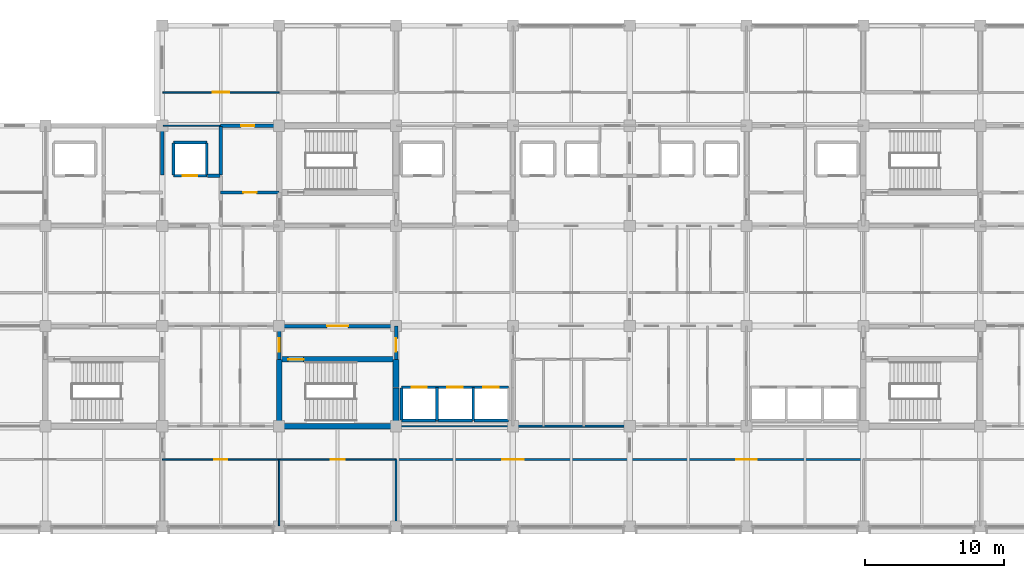
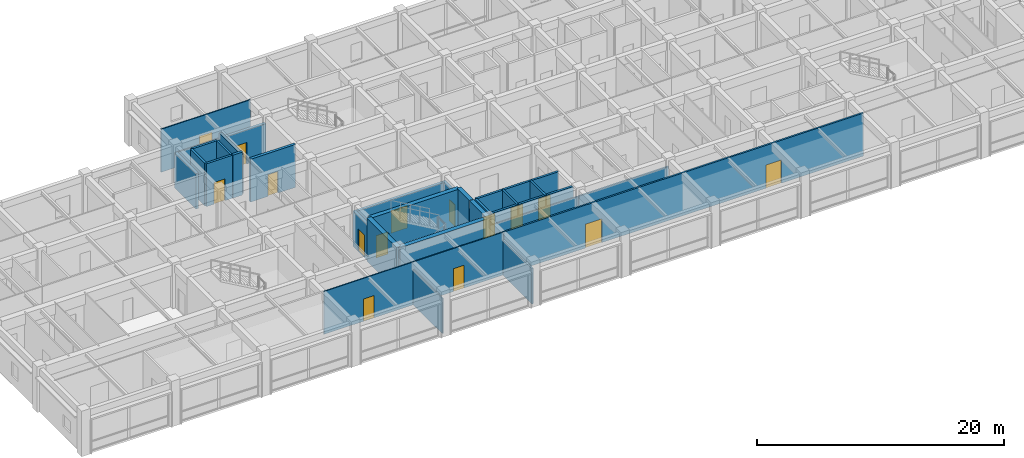
# One storey, part 17 of 30: 32 walls, 15 doors, 15 openings.
"""IFC4 building model written with IfcOpenShell, lengths in metres."""

from ifc_helpers import new_model, si_unit, direction, frame, frame_2d, origin, place, context, subcontext, project, spatial, rectangle, extrude, material, layer, layer_set, type_object, element, fill, save


model = new_model("IFC4")

# Units and contexts
model_context = context("Model", 3, precision=1e-05, world=origin(), true_north=direction((0.0, 1.0)))
body_context = subcontext(model_context, "Body", "Model", "MODEL_VIEW")
ifc_project = project(units=[si_unit("LENGTHUNIT", "METRE"), si_unit("AREAUNIT", "SQUARE_METRE"), si_unit("VOLUMEUNIT", "CUBIC_METRE"), si_unit("PLANEANGLEUNIT", "RADIAN"), si_unit("MASSUNIT", "GRAM", prefix="KILO")], contexts=[model_context])

# Site, building, storey
site_placement = place(None, origin())
site = spatial("IfcSite", under=ifc_project, at=site_placement, CompositionType="ELEMENT")
building_placement = place(site_placement, origin())
building = spatial("IfcBuilding", under=site, at=building_placement, Name="Chengyuan Square Courthouse", CompositionType="ELEMENT")
storey_placement = place(building_placement, frame((0.0, 0.0, 26.10009765625)))
storey = spatial("IfcBuildingStorey", under=building, at=storey_placement, Name="L06", CompositionType="ELEMENT", Elevation=26.10009765625)

# Wall, opening, door
ifc_material_1 = material(Name="Concrete C40", Category="concrete")
ifc_layer_1 = layer(ifc_material_1, 0.25)
ifc_layer_set_1 = layer_set([ifc_layer_1], Name="Concrete C40")
wall_type_1 = type_object("IfcWallType", Name="WL-FW1", PredefinedType="STANDARD", material=ifc_layer_set_1)
wall_1_placement = place(storey_placement, frame((58.800048828125, 93.60009765625, 0.0), z_axis=(0.0, 0.0, 1.0), x_axis=(1.0, 0.0, 0.0)))
wall_1 = element("IfcWall", 1, at=wall_1_placement, inside=storey, type_object=wall_type_1, Name="Interior Wall WL-L06-I2394", PredefinedType="STANDARD", context=body_context, shape_type="SweptSolid", body=[
    extrude(rectangle(XDim=8.39990234375, YDim=0.25, at=frame_2d((4.199951171875, 0.0))), origin(), (0.0, 0.0, 1.0), 3.389892578125),
])
opening_1_placement = place(wall_1_placement, frame((3.449951171875, 0.0, 0.0)))
opening_1 = element("IfcOpeningElement", 2, at=opening_1_placement, cuts=wall_1, Name="Opening DR-2124", PredefinedType="OPENING", context=body_context, shape_type="SweptSolid", body=[
    extrude(rectangle(XDim=1.5, YDim=2.25, at=frame_2d((0.75, 1.125))), frame((0.0, 0.136962890625, 0.0), z_axis=(0.0, -1.0, 0.0), x_axis=(1.0, 0.0, 0.0)), (0.0, 0.0, 1.0), 0.27392578125),
])
ifc_material_2 = material(Name="Steel Q235B Glazed Fire Door", Category="steel")
door_type_1 = type_object("IfcDoorType", Name="DT-19", OperationType="DOUBLE_DOOR_SINGLE_SWING", PredefinedType="DOOR", material=ifc_material_2)
door_1_placement = place(opening_1_placement, frame((1.5, 0.0, 0.0), z_axis=(0.0, 0.0, 1.0), x_axis=(-1.0, 0.0, 0.0)))
door_1 = element("IfcDoor", 3, at=door_1_placement, inside=storey, type_object=door_type_1, Name="Interior Door DR-2124", OperationType="DOUBLE_DOOR_SINGLE_SWING", OverallHeight=2.25, OverallWidth=1.5, PredefinedType="DOOR", context=body_context, shape_type="SweptSolid", body=[
    extrude(rectangle(XDim=1.5, YDim=2.25, at=frame_2d((0.75, 1.125))), frame((0.0, 0.02490234375, 0.0), z_axis=(0.0, -1.0, 0.0), x_axis=(1.0, 0.0, 0.0)), (0.0, 0.0, 1.0), 0.050048828125),
])
fill(opening_1, door_1)

wall_2_placement = place(storey_placement, frame((54.60009765625, 103.199951171875, 0.0), z_axis=(0.0, 0.0, 1.0), x_axis=(1.0, 0.0, 0.0)))
wall_2 = element("IfcWall", 4, at=wall_2_placement, inside=storey, type_object=wall_type_1, Name="Interior Wall WL-L06-I2431", PredefinedType="STANDARD", context=body_context, shape_type="SweptSolid", body=[
    extrude(rectangle(XDim=4.199951171875, YDim=0.25, at=frame_2d((2.10009765625, 0.0))), origin(), (0.0, 0.0, 1.0), 4.239990234375),
])
opening_2_placement = place(wall_2_placement, frame((1.625, 0.0, 0.0)))
opening_2 = element("IfcOpeningElement", 5, at=opening_2_placement, cuts=wall_2, Name="Opening DR-2168", PredefinedType="OPENING", context=body_context, shape_type="SweptSolid", body=[
    extrude(rectangle(XDim=0.949951171875, YDim=2.14990234375, at=frame_2d((0.47509765625, 1.074951171875))), frame((0.0, 0.136962890625, 0.0), z_axis=(0.0, -1.0, 0.0), x_axis=(1.0, 0.0, 0.0)), (0.0, 0.0, 1.0), 0.27392578125),
])
ifc_material_3 = material(Name="Steel Q235B Fire Door", Category="steel")
door_type_2 = type_object("IfcDoorType", Name="DT-12", OperationType="NOTDEFINED", PredefinedType="DOOR", material=ifc_material_3)
door_2_placement = place(opening_2_placement, origin())
door_2 = element("IfcDoor", 6, at=door_2_placement, inside=storey, type_object=door_type_2, Name="Interior Door DR-2168", OperationType="SINGLE_SWING_LEFT", OverallHeight=2.14990234375, OverallWidth=0.949951171875, PredefinedType="DOOR", context=body_context, shape_type="SweptSolid", body=[
    extrude(rectangle(XDim=0.949951171875, YDim=2.14990234375, at=frame_2d((0.47509765625, 1.074951171875))), frame((0.0, 0.02490234375, 0.0), z_axis=(0.0, -1.0, 0.0), x_axis=(1.0, 0.0, 0.0)), (0.0, 0.0, 1.0), 0.050048828125),
])
fill(opening_2, door_2)

# Wall
wall_3_placement = place(storey_placement, frame((53.64990234375, 104.39990234375, 0.0), z_axis=(0.0, 0.0, 1.0), x_axis=(1.0, 0.0, 0.0)))
element("IfcWall", 7, at=wall_3_placement, inside=storey, type_object=wall_type_1, Name="Interior Wall WL-L06-I2441", PredefinedType="STANDARD", context=body_context, shape_type="SweptSolid", body=[
    extrude(rectangle(XDim=0.900146484375, YDim=0.25, at=frame_2d((0.4501953125, 0.0))), origin(), (0.0, 0.0, 1.0), 4.239990234375),
])

# Wall, opening, door
wall_4_placement = place(storey_placement, frame((54.60009765625, 108.0, 0.0), z_axis=(0.0, 0.0, 1.0), x_axis=(1.0, 0.0, 0.0)))
wall_4 = element("IfcWall", 8, at=wall_4_placement, inside=storey, type_object=wall_type_1, Name="Interior Wall WL-L06-I2463", PredefinedType="STANDARD", context=body_context, shape_type="SweptSolid", body=[
    extrude(rectangle(XDim=4.199951171875, YDim=0.25, at=frame_2d((2.10009765625, 0.0))), origin(), (0.0, 0.0, 1.0), 3.389892578125),
])
opening_3_placement = place(wall_4_placement, frame((1.465087890625, 0.0, 0.0)))
opening_3 = element("IfcOpeningElement", 9, at=opening_3_placement, cuts=wall_4, Name="Opening DR-2171", PredefinedType="OPENING", context=body_context, shape_type="SweptSolid", body=[
    extrude(rectangle(XDim=0.949951171875, YDim=2.14990234375, at=frame_2d((0.47509765625, 1.074951171875))), frame((0.0, 0.136962890625, 0.0), z_axis=(0.0, -1.0, 0.0), x_axis=(1.0, 0.0, 0.0)), (0.0, 0.0, 1.0), 0.27392578125),
])
door_3_placement = place(opening_3_placement, origin())
door_3 = element("IfcDoor", 10, at=door_3_placement, inside=storey, type_object=door_type_2, Name="Interior Door DR-2171", OperationType="SINGLE_SWING_RIGHT", OverallHeight=2.14990234375, OverallWidth=0.949951171875, PredefinedType="DOOR", context=body_context, shape_type="SweptSolid", body=[
    extrude(rectangle(XDim=0.949951171875, YDim=2.14990234375, at=frame_2d((0.47509765625, 1.074951171875))), frame((0.0, 0.02490234375, 0.0), z_axis=(0.0, -1.0, 0.0), x_axis=(1.0, 0.0, 0.0)), (0.0, 0.0, 1.0), 0.050048828125),
])
fill(opening_3, door_3)

# Walls
wall_5_placement = place(storey_placement, frame((50.39990234375, 104.449951171875, 0.0), z_axis=(0.0, 0.0, 1.0), x_axis=(0.0, 1.0, 0.0)))
element("IfcWall", 11, at=wall_5_placement, inside=storey, type_object=wall_type_1, Name="Interior Wall WL-L06-I2500", PredefinedType="STANDARD", context=body_context, shape_type="SweptSolid", body=[
    extrude(rectangle(XDim=3.4599609375, YDim=0.25, at=frame_2d((1.72998046875, 0.0))), origin(), (0.0, 0.0, 1.0), 3.489990234375),
])
wall_6_placement = place(storey_placement, frame((54.60009765625, 104.449951171875, 0.0), z_axis=(0.0, 0.0, 1.0), x_axis=(0.0, 1.0, 0.0)))
element("IfcWall", 12, at=wall_6_placement, inside=storey, type_object=wall_type_1, Name="Interior Wall WL-L06-I2506", PredefinedType="STANDARD", context=body_context, shape_type="SweptSolid", body=[
    extrude(rectangle(XDim=3.5, YDim=0.25, at=frame_2d((1.75, 0.0))), origin(), (0.0, 0.0, 1.0), 3.93994140625),
])

# Wall, opening, door
wall_7_placement = place(storey_placement, frame((58.800048828125, 91.199951171875, 0.0), z_axis=(0.0, 0.0, 1.0), x_axis=(0.0, 1.0, 0.0)))
wall_7 = element("IfcWall", 13, at=wall_7_placement, inside=storey, type_object=wall_type_1, Name="Interior Wall WL-L06-I2511", PredefinedType="STANDARD", context=body_context, shape_type="SweptSolid", body=[
    extrude(rectangle(XDim=2.400146484375, YDim=0.25, at=frame_2d((1.2001953125, 0.0))), origin(), (0.0, 0.0, 1.0), 3.489990234375),
])
opening_4_placement = place(wall_7_placement, frame((0.5400390625, 0.0, 0.0)))
opening_4 = element("IfcOpeningElement", 14, at=opening_4_placement, cuts=wall_7, Name="Opening DR-2125", PredefinedType="OPENING", context=body_context, shape_type="SweptSolid", body=[
    extrude(rectangle(XDim=1.0, YDim=2.199951171875, at=frame_2d((0.5, 1.10009765625))), frame((0.0, 0.136962890625, 0.0), z_axis=(0.0, -1.0, 0.0), x_axis=(1.0, 0.0, 0.0)), (0.0, 0.0, 1.0), 0.27392578125),
])
door_type_3 = type_object("IfcDoorType", Name="DT-11", OperationType="NOTDEFINED", PredefinedType="DOOR", material=ifc_material_3)
door_4_placement = place(opening_4_placement, origin())
door_4 = element("IfcDoor", 15, at=door_4_placement, inside=storey, type_object=door_type_3, Name="Interior Door DR-2125", OperationType="SINGLE_SWING_RIGHT", OverallHeight=2.199951171875, OverallWidth=1.0, PredefinedType="DOOR", context=body_context, shape_type="SweptSolid", body=[
    extrude(rectangle(XDim=1.0, YDim=2.199951171875, at=frame_2d((0.5, 1.10009765625))), frame((0.0, 0.02490234375, 0.0), z_axis=(0.0, -1.0, 0.0), x_axis=(1.0, 0.0, 0.0)), (0.0, 0.0, 1.0), 0.050048828125),
])
fill(opening_4, door_4)

wall_8_placement = place(storey_placement, frame((67.199951171875, 91.199951171875, 0.0), z_axis=(0.0, 0.0, 1.0), x_axis=(0.0, 1.0, 0.0)))
wall_8 = element("IfcWall", 16, at=wall_8_placement, inside=storey, type_object=wall_type_1, Name="Interior Wall WL-L06-I2519", PredefinedType="STANDARD", context=body_context, shape_type="SweptSolid", body=[
    extrude(rectangle(XDim=2.400146484375, YDim=0.25, at=frame_2d((1.2001953125, 0.0))), origin(), (0.0, 0.0, 1.0), 3.489990234375),
])
opening_5_placement = place(wall_8_placement, frame((0.56494140625, 0.0, 0.0)))
opening_5 = element("IfcOpeningElement", 17, at=opening_5_placement, cuts=wall_8, Name="Opening DR-2123", PredefinedType="OPENING", context=body_context, shape_type="SweptSolid", body=[
    extrude(rectangle(XDim=0.949951171875, YDim=2.14990234375, at=frame_2d((0.47509765625, 1.074951171875))), frame((0.0, 0.136962890625, 0.0), z_axis=(0.0, -1.0, 0.0), x_axis=(1.0, 0.0, 0.0)), (0.0, 0.0, 1.0), 0.27392578125),
])
door_5_placement = place(opening_5_placement, origin())
door_5 = element("IfcDoor", 18, at=door_5_placement, inside=storey, type_object=door_type_2, Name="Interior Door DR-2123", OperationType="SINGLE_SWING_LEFT", OverallHeight=2.14990234375, OverallWidth=0.949951171875, PredefinedType="DOOR", context=body_context, shape_type="SweptSolid", body=[
    extrude(rectangle(XDim=0.949951171875, YDim=2.14990234375, at=frame_2d((0.47509765625, 1.074951171875))), frame((0.0, 0.02490234375, 0.0), z_axis=(0.0, -1.0, 0.0), x_axis=(1.0, 0.0, 0.0)), (0.0, 0.0, 1.0), 0.050048828125),
])
fill(opening_5, door_5)

# Wall, openings, doors
ifc_material_4 = material(Name="Acoustic Timber-Lined Gypsum Partition", Category="wood")
ifc_layer_2 = layer(ifc_material_4, 0.159912109375)
ifc_layer_set_2 = layer_set([ifc_layer_2], Name="Acoustic Timber-Lined Gypsum Partition")
wall_type_2 = type_object("IfcWallType", Name="WL-PT2", PredefinedType="STANDARD", material=ifc_layer_set_2)
wall_9_placement = place(storey_placement, frame((67.199951171875, 84.0, 0.0), z_axis=(0.0, 0.0, 1.0), x_axis=(1.0, 0.0, 0.0)))
wall_9 = element("IfcWall", 19, at=wall_9_placement, inside=storey, type_object=wall_type_2, Name="Interior Wall WL-L06-I2362", PredefinedType="STANDARD", context=body_context, shape_type="SweptSolid", body=[
    extrude(rectangle(XDim=33.60009765625, YDim=0.159912109375, at=frame_2d((16.800048828125, 0.0))), origin(), (0.0, 0.0, 1.0), 4.239990234375),
])
opening_6_placement = place(wall_9_placement, frame((7.625, 0.0, 0.0)))
opening_6 = element("IfcOpeningElement", 20, at=opening_6_placement, cuts=wall_9, Name="Opening DR-2294", PredefinedType="OPENING", context=body_context, shape_type="SweptSolid", body=[
    extrude(rectangle(XDim=1.550048828125, YDim=2.35009765625, at=frame_2d((0.77490234375, 1.175048828125))), frame((0.0, 0.092041015625, 0.0), z_axis=(0.0, -1.0, 0.0), x_axis=(1.0, 0.0, 0.0)), (0.0, 0.0, 1.0), 0.183837890625),
])
opening_7_placement = place(wall_9_placement, frame((24.47509765625, 0.0, 0.0)))
opening_7 = element("IfcOpeningElement", 21, at=opening_7_placement, cuts=wall_9, Name="Opening DR-2296", PredefinedType="OPENING", context=body_context, shape_type="SweptSolid", body=[
    extrude(rectangle(XDim=1.449951171875, YDim=2.300048828125, at=frame_2d((0.72509765625, 1.14990234375))), frame((0.0, 0.092041015625, 0.0), z_axis=(0.0, -1.0, 0.0), x_axis=(1.0, 0.0, 0.0)), (0.0, 0.0, 1.0), 0.183837890625),
])
ifc_material_5 = material(Name="Acoustic Larch Veneer Double Door")
door_type_4 = type_object("IfcDoorType", Name="DT-23", OperationType="DOUBLE_DOOR_SINGLE_SWING", PredefinedType="DOOR", material=ifc_material_5)
door_6_placement = place(opening_6_placement, frame((1.550048828125, 0.0, 0.0), z_axis=(0.0, 0.0, 1.0), x_axis=(-1.0, 0.0, 0.0)))
door_6 = element("IfcDoor", 22, at=door_6_placement, inside=storey, type_object=door_type_4, Name="Interior Door DR-2294", OperationType="DOUBLE_DOOR_SINGLE_SWING", OverallHeight=2.35009765625, OverallWidth=1.550048828125, PredefinedType="DOOR", context=body_context, shape_type="SweptSolid", body=[
    extrude(rectangle(XDim=1.550048828125, YDim=2.35009765625, at=frame_2d((0.77490234375, 1.175048828125))), frame((0.0, 0.02490234375, 0.0), z_axis=(0.0, -1.0, 0.0), x_axis=(1.0, 0.0, 0.0)), (0.0, 0.0, 1.0), 0.050048828125),
])
fill(opening_6, door_6)
door_type_5 = type_object("IfcDoorType", Name="DT-25", OperationType="DOUBLE_DOOR_SINGLE_SWING", PredefinedType="DOOR", material=ifc_material_5)
door_7_placement = place(opening_7_placement, frame((1.449951171875, 0.0, 0.0), z_axis=(0.0, 0.0, 1.0), x_axis=(-1.0, 0.0, 0.0)))
door_7 = element("IfcDoor", 23, at=door_7_placement, inside=storey, type_object=door_type_5, Name="Interior Door DR-2296", OperationType="DOUBLE_DOOR_SINGLE_SWING", OverallHeight=2.300048828125, OverallWidth=1.449951171875, PredefinedType="DOOR", context=body_context, shape_type="SweptSolid", body=[
    extrude(rectangle(XDim=1.449951171875, YDim=2.300048828125, at=frame_2d((0.72509765625, 1.14990234375))), frame((0.0, 0.02490234375, 0.0), z_axis=(0.0, -1.0, 0.0), x_axis=(1.0, 0.0, 0.0)), (0.0, 0.0, 1.0), 0.050048828125),
])
fill(opening_7, door_7)

# Walls
wall_10_placement = place(storey_placement, frame((67.199951171875, 79.239990234375, 0.0), z_axis=(0.0, 0.0, 1.0), x_axis=(0.0, 1.0, 0.0)))
element("IfcWall", 24, at=wall_10_placement, inside=storey, type_object=wall_type_2, Name="Interior Wall WL-L06-I2516", PredefinedType="STANDARD", context=body_context, shape_type="SweptSolid", body=[
    extrude(rectangle(XDim=4.760009765625, YDim=0.159912109375, at=frame_2d((2.3798828125, 0.0))), origin(), (0.0, 0.0, 1.0), 3.489990234375),
])
ifc_material_6 = material(Name="Moisture-Resistant Masonry Wet-Room Partition", Category="masonry")
ifc_layer_3 = layer(ifc_material_6, 0.139892578125)
ifc_layer_set_3 = layer_set([ifc_layer_3], Name="Moisture-Resistant Masonry Wet-Room Partition")
wall_type_3 = type_object("IfcWallType", Name="WL-PT4", PredefinedType="STANDARD", material=ifc_layer_set_3)
wall_11_placement = place(storey_placement, frame((75.60009765625, 86.39990234375, 0.0), z_axis=(0.0, 0.0, 1.0), x_axis=(1.0, 0.0, 0.0)))
element("IfcWall", 25, at=wall_11_placement, inside=storey, type_object=wall_type_3, Name="Interior Wall WL-L06-I2371", PredefinedType="STANDARD", context=body_context, shape_type="SweptSolid", body=[
    extrude(rectangle(XDim=8.39990234375, YDim=0.139892578125, at=frame_2d((4.199951171875, 0.0))), origin(), (0.0, 0.0, 1.0), 3.389892578125),
])

# Wall, openings, doors
ifc_material_7 = material(Name="Gypsum Plasterboard Acoustic Stud Partition")
ifc_layer_4 = layer(ifc_material_7, 0.10009765625)
ifc_layer_set_4 = layer_set([ifc_layer_4], Name="Gypsum Plasterboard Acoustic Stud Partition")
wall_type_4 = type_object("IfcWallType", Name="WL-PT6", PredefinedType="STANDARD", material=ifc_layer_set_4)
wall_12_placement = place(storey_placement, frame((50.39990234375, 84.0, 0.0), z_axis=(0.0, 0.0, 1.0), x_axis=(1.0, 0.0, 0.0)))
wall_12 = element("IfcWall", 26, at=wall_12_placement, inside=storey, type_object=wall_type_4, Name="Interior Wall WL-L06-I2361", PredefinedType="STANDARD", context=body_context, shape_type="SweptSolid", body=[
    extrude(rectangle(XDim=16.800048828125, YDim=0.10009765625, at=frame_2d((8.39990234375, 0.0))), origin(), (0.0, 0.0, 1.0), 4.239990234375),
])
opening_8_placement = place(wall_12_placement, frame((3.719970703125, 0.0, 0.0)))
opening_8 = element("IfcOpeningElement", 27, at=opening_8_placement, cuts=wall_12, Name="Opening DR-2292", PredefinedType="OPENING", context=body_context, shape_type="SweptSolid", body=[
    extrude(rectangle(XDim=0.9599609375, YDim=2.199951171875, at=frame_2d((0.47998046875, 1.10009765625))), frame((0.0, 0.06201171875, 0.0), z_axis=(0.0, -1.0, 0.0), x_axis=(1.0, 0.0, 0.0)), (0.0, 0.0, 1.0), 0.1240234375),
])
opening_9_placement = place(wall_12_placement, frame((12.10009765625, 0.0, 0.0)))
opening_9 = element("IfcOpeningElement", 28, at=opening_9_placement, cuts=wall_12, Name="Opening DR-2293", PredefinedType="OPENING", context=body_context, shape_type="SweptSolid", body=[
    extrude(rectangle(XDim=1.0, YDim=2.25, at=frame_2d((0.5, 1.125))), frame((0.0, 0.06201171875, 0.0), z_axis=(0.0, -1.0, 0.0), x_axis=(1.0, 0.0, 0.0)), (0.0, 0.0, 1.0), 0.1240234375),
])
ifc_material_8 = material(Name="Acoustic Solid-Core Timber Door", Category="wood")
door_type_6 = type_object("IfcDoorType", Name="DT-30", OperationType="NOTDEFINED", PredefinedType="DOOR", material=ifc_material_8)
door_8_placement = place(opening_8_placement, origin())
door_8 = element("IfcDoor", 29, at=door_8_placement, inside=storey, type_object=door_type_6, Name="Interior Door DR-2292", OperationType="SINGLE_SWING_LEFT", OverallHeight=2.199951171875, OverallWidth=0.9599609375, PredefinedType="DOOR", context=body_context, shape_type="SweptSolid", body=[
    extrude(rectangle(XDim=0.9599609375, YDim=2.199951171875, at=frame_2d((0.47998046875, 1.10009765625))), frame((0.0, 0.02490234375, 0.0), z_axis=(0.0, -1.0, 0.0), x_axis=(1.0, 0.0, 0.0)), (0.0, 0.0, 1.0), 0.050048828125),
])
fill(opening_8, door_8)
door_type_7 = type_object("IfcDoorType", Name="DT-31", OperationType="NOTDEFINED", PredefinedType="DOOR", material=ifc_material_8)
door_9_placement = place(opening_9_placement, origin())
door_9 = element("IfcDoor", 30, at=door_9_placement, inside=storey, type_object=door_type_7, Name="Interior Door DR-2293", OperationType="SINGLE_SWING_RIGHT", OverallHeight=2.25, OverallWidth=1.0, PredefinedType="DOOR", context=body_context, shape_type="SweptSolid", body=[
    extrude(rectangle(XDim=1.0, YDim=2.25, at=frame_2d((0.5, 1.125))), frame((0.0, 0.02490234375, 0.0), z_axis=(0.0, -1.0, 0.0), x_axis=(1.0, 0.0, 0.0)), (0.0, 0.0, 1.0), 0.050048828125),
])
fill(opening_9, door_9)

# Walls
wall_13_placement = place(storey_placement, frame((67.25, 86.39990234375, 0.0), z_axis=(0.0, 0.0, 1.0), x_axis=(1.0, 0.0, 0.0)))
element("IfcWall", 31, at=wall_13_placement, inside=storey, type_object=wall_type_4, Name="Interior Wall WL-L06-I2370", PredefinedType="STANDARD", context=body_context, shape_type="SweptSolid", body=[
    extrude(rectangle(XDim=8.300048828125, YDim=0.10009765625, at=frame_2d((4.14990234375, 0.0))), origin(), (0.0, 0.0, 1.0), 3.389892578125),
])
wall_14_placement = place(storey_placement, frame((50.449951171875, 108.0, 0.0), z_axis=(0.0, 0.0, 1.0), x_axis=(1.0, 0.0, 0.0)))
element("IfcWall", 32, at=wall_14_placement, inside=storey, type_object=wall_type_4, Name="Interior Wall WL-L06-I2462", PredefinedType="STANDARD", context=body_context, shape_type="SweptSolid", body=[
    extrude(rectangle(XDim=4.10009765625, YDim=0.10009765625, at=frame_2d((2.050048828125, 0.0))), origin(), (0.0, 0.0, 1.0), 3.389892578125),
])

# Wall, opening, door
wall_15_placement = place(storey_placement, frame((50.43994140625, 110.39990234375, 0.0), z_axis=(0.0, 0.0, 1.0), x_axis=(1.0, 0.0, 0.0)))
wall_15 = element("IfcWall", 33, at=wall_15_placement, inside=storey, type_object=wall_type_4, Name="Interior Wall WL-L06-I2475", PredefinedType="STANDARD", context=body_context, shape_type="SweptSolid", body=[
    extrude(rectangle(XDim=8.360107421875, YDim=0.10009765625, at=frame_2d((4.18017578125, 0.0))), origin(), (0.0, 0.0, 1.0), 4.239990234375),
])
opening_10_placement = place(wall_15_placement, frame((3.60009765625, 0.0, 0.0)))
opening_10 = element("IfcOpeningElement", 34, at=opening_10_placement, cuts=wall_15, Name="Opening DR-2280", PredefinedType="OPENING", context=body_context, shape_type="SweptSolid", body=[
    extrude(rectangle(XDim=1.159912109375, YDim=2.300048828125, at=frame_2d((0.580078125, 1.14990234375))), frame((0.0, 0.06201171875, 0.0), z_axis=(0.0, -1.0, 0.0), x_axis=(1.0, 0.0, 0.0)), (0.0, 0.0, 1.0), 0.1240234375),
])
door_type_8 = type_object("IfcDoorType", Name="DT-35", OperationType="NOTDEFINED", PredefinedType="DOOR", material=ifc_material_8)
door_10_placement = place(opening_10_placement, origin())
door_10 = element("IfcDoor", 35, at=door_10_placement, inside=storey, type_object=door_type_8, Name="Interior Door DR-2280", OperationType="SINGLE_SWING_LEFT", OverallHeight=2.300048828125, OverallWidth=1.159912109375, PredefinedType="DOOR", context=body_context, shape_type="SweptSolid", body=[
    extrude(rectangle(XDim=1.159912109375, YDim=2.300048828125, at=frame_2d((0.580078125, 1.14990234375))), frame((0.0, 0.02490234375, 0.0), z_axis=(0.0, -1.0, 0.0), x_axis=(1.0, 0.0, 0.0)), (0.0, 0.0, 1.0), 0.050048828125),
])
fill(opening_10, door_10)

# Walls
wall_16_placement = place(storey_placement, frame((58.800048828125, 79.239990234375, 0.0), z_axis=(0.0, 0.0, 1.0), x_axis=(0.0, 1.0, 0.0)))
element("IfcWall", 36, at=wall_16_placement, inside=storey, type_object=wall_type_4, Name="Interior Wall WL-L06-I2509", PredefinedType="STANDARD", context=body_context, shape_type="SweptSolid", body=[
    extrude(rectangle(XDim=4.760009765625, YDim=0.10009765625, at=frame_2d((2.3798828125, 0.0))), origin(), (0.0, 0.0, 1.0), 3.489990234375),
])
ifc_material_9 = material(Name="Reinforced Masonry Shaft Enclosure", Category="masonry")
ifc_layer_5 = layer(ifc_material_9, 0.199951171875)
ifc_layer_set_5 = layer_set([ifc_layer_5], Name="Reinforced Masonry Shaft Enclosure")
wall_type_5 = type_object("IfcWallType", Name="WL-SH1", PredefinedType="STANDARD", material=ifc_layer_set_5)
for number, where, z_axis, x_axis, name in (
    (37, (67.60009765625, 86.800048828125, 0.0), (0.0, 0.0, 1.0), (1.0, 0.0, 0.0), "Interior Wall WL-L06-I2378"),
    (38, (70.199951171875, 86.800048828125, 0.0), (0.0, 0.0, 1.0), (1.0, 0.0, 0.0), "Interior Wall WL-L06-I2379"),
    (39, (72.800048828125, 86.800048828125, 0.0), (0.0, 0.0, 1.0), (1.0, 0.0, 0.0), "Interior Wall WL-L06-I2380"),
):
    element("IfcWall", number, at=place(storey_placement, frame(where, z_axis=z_axis, x_axis=x_axis)), inside=storey, type_object=wall_type_5, Name=name, PredefinedType="STANDARD", context=body_context, shape_type="SweptSolid", body=[
        extrude(rectangle(XDim=2.5, YDim=0.199951171875, at=frame_2d((1.25, 0.0))), origin(), (0.0, 0.0, 1.0), 4.239990234375),
    ])

# Wall, openings, doors
wall_17_placement = place(storey_placement, frame((67.60009765625, 89.199951171875, 0.0), z_axis=(0.0, 0.0, 1.0), x_axis=(1.0, 0.0, 0.0)))
wall_17 = element("IfcWall", 40, at=wall_17_placement, inside=storey, type_object=wall_type_5, Name="Interior Wall WL-L06-I2384", PredefinedType="STANDARD", context=body_context, shape_type="SweptSolid", body=[
    extrude(rectangle(XDim=7.699951171875, YDim=0.199951171875, at=frame_2d((3.85009765625, 0.0))), origin(), (0.0, 0.0, 1.0), 4.239990234375),
])
opening_11_placement = place(wall_17_placement, frame((0.72509765625, 0.0, 0.0)))
opening_11 = element("IfcOpeningElement", 41, at=opening_11_placement, cuts=wall_17, Name="Opening LD-109", PredefinedType="OPENING", context=body_context, shape_type="SweptSolid", body=[
    extrude(rectangle(XDim=1.10009765625, YDim=2.14990234375, at=frame_2d((0.550048828125, 1.074951171875))), frame((0.0, 0.112060546875, 0.0), z_axis=(0.0, -1.0, 0.0), x_axis=(1.0, 0.0, 0.0)), (0.0, 0.0, 1.0), 0.223876953125),
])
opening_12_placement = place(wall_17_placement, frame((3.300048828125, 0.0, 0.0)))
opening_12 = element("IfcOpeningElement", 42, at=opening_12_placement, cuts=wall_17, Name="Opening LD-110", PredefinedType="OPENING", context=body_context, shape_type="SweptSolid", body=[
    extrude(rectangle(XDim=1.10009765625, YDim=2.14990234375, at=frame_2d((0.550048828125, 1.074951171875))), frame((0.0, 0.112060546875, 0.0), z_axis=(0.0, -1.0, 0.0), x_axis=(1.0, 0.0, 0.0)), (0.0, 0.0, 1.0), 0.223876953125),
])
opening_13_placement = place(wall_17_placement, frame((5.875, 0.0, 0.0)))
opening_13 = element("IfcOpeningElement", 43, at=opening_13_placement, cuts=wall_17, Name="Opening LD-111", PredefinedType="OPENING", context=body_context, shape_type="SweptSolid", body=[
    extrude(rectangle(XDim=1.10009765625, YDim=2.14990234375, at=frame_2d((0.550048828125, 1.074951171875))), frame((0.0, 0.112060546875, 0.0), z_axis=(0.0, -1.0, 0.0), x_axis=(1.0, 0.0, 0.0)), (0.0, 0.0, 1.0), 0.223876953125),
])
ifc_material_10 = material(Name="Stainless Steel S30408 Lift Landing Door", Category="steel")
door_type_9 = type_object("IfcDoorType", Name="DT-06", OperationType="DOUBLE_DOOR_SLIDING", PredefinedType="DOOR", material=ifc_material_10)
door_11_placement = place(opening_11_placement, origin())
door_11 = element("IfcDoor", 44, at=door_11_placement, inside=storey, type_object=door_type_9, Name="Lift Landing Door LF-P1 L06", OperationType="DOUBLE_DOOR_SLIDING", OverallHeight=2.14990234375, OverallWidth=1.10009765625, PredefinedType="DOOR", context=body_context, shape_type="SweptSolid", body=[
    extrude(rectangle(XDim=1.10009765625, YDim=2.14990234375, at=frame_2d((0.550048828125, 1.074951171875))), frame((0.0, 0.02490234375, 0.0), z_axis=(0.0, -1.0, 0.0), x_axis=(1.0, 0.0, 0.0)), (0.0, 0.0, 1.0), 0.050048828125),
])
fill(opening_11, door_11)
door_12_placement = place(opening_12_placement, origin())
door_12 = element("IfcDoor", 45, at=door_12_placement, inside=storey, type_object=door_type_9, Name="Lift Landing Door LF-P2 L06", OperationType="DOUBLE_DOOR_SLIDING", OverallHeight=2.14990234375, OverallWidth=1.10009765625, PredefinedType="DOOR", context=body_context, shape_type="SweptSolid", body=[
    extrude(rectangle(XDim=1.10009765625, YDim=2.14990234375, at=frame_2d((0.550048828125, 1.074951171875))), frame((0.0, 0.02490234375, 0.0), z_axis=(0.0, -1.0, 0.0), x_axis=(1.0, 0.0, 0.0)), (0.0, 0.0, 1.0), 0.050048828125),
])
fill(opening_12, door_12)
door_13_placement = place(opening_13_placement, origin())
door_13 = element("IfcDoor", 46, at=door_13_placement, inside=storey, type_object=door_type_9, Name="Lift Landing Door LF-P3 L06", OperationType="DOUBLE_DOOR_SLIDING", OverallHeight=2.14990234375, OverallWidth=1.10009765625, PredefinedType="DOOR", context=body_context, shape_type="SweptSolid", body=[
    extrude(rectangle(XDim=1.10009765625, YDim=2.14990234375, at=frame_2d((0.550048828125, 1.074951171875))), frame((0.0, 0.02490234375, 0.0), z_axis=(0.0, -1.0, 0.0), x_axis=(1.0, 0.0, 0.0)), (0.0, 0.0, 1.0), 0.050048828125),
])
fill(opening_13, door_13)

# Wall, opening, door
wall_18_placement = place(storey_placement, frame((51.199951171875, 104.39990234375, 0.0), z_axis=(0.0, 0.0, 1.0), x_axis=(1.0, 0.0, 0.0)))
wall_18 = element("IfcWall", 47, at=wall_18_placement, inside=storey, type_object=wall_type_5, Name="Interior Wall WL-L06-I2440", PredefinedType="STANDARD", context=body_context, shape_type="SweptSolid", body=[
    extrude(rectangle(XDim=2.400146484375, YDim=0.199951171875, at=frame_2d((1.2001953125, 0.0))), origin(), (0.0, 0.0, 1.0), 4.239990234375),
])
opening_14_placement = place(wall_18_placement, frame((0.675048828125, 0.0, 0.0)))
opening_14 = element("IfcOpeningElement", 48, at=opening_14_placement, cuts=wall_18, Name="Opening LD-115", PredefinedType="OPENING", context=body_context, shape_type="SweptSolid", body=[
    extrude(rectangle(XDim=1.050048828125, YDim=2.14990234375, at=frame_2d((0.52490234375, 1.074951171875))), frame((0.0, 0.112060546875, 0.0), z_axis=(0.0, -1.0, 0.0), x_axis=(1.0, 0.0, 0.0)), (0.0, 0.0, 1.0), 0.223876953125),
])
door_type_10 = type_object("IfcDoorType", Name="DT-08", OperationType="DOUBLE_DOOR_SLIDING", PredefinedType="DOOR", material=ifc_material_10)
door_14_placement = place(opening_14_placement, origin())
door_14 = element("IfcDoor", 49, at=door_14_placement, inside=storey, type_object=door_type_10, Name="Lift Landing Door LF-C1 L06", OperationType="DOUBLE_DOOR_SLIDING", OverallHeight=2.14990234375, OverallWidth=1.050048828125, PredefinedType="DOOR", context=body_context, shape_type="SweptSolid", body=[
    extrude(rectangle(XDim=1.050048828125, YDim=2.14990234375, at=frame_2d((0.52490234375, 1.074951171875))), frame((0.0, 0.02490234375, 0.0), z_axis=(0.0, -1.0, 0.0), x_axis=(1.0, 0.0, 0.0)), (0.0, 0.0, 1.0), 0.050048828125),
])
fill(opening_14, door_14)

# Walls
wall_19_placement = place(storey_placement, frame((51.199951171875, 106.800048828125, 0.0), z_axis=(0.0, 0.0, 1.0), x_axis=(1.0, 0.0, 0.0)))
element("IfcWall", 50, at=wall_19_placement, inside=storey, type_object=wall_type_5, Name="Interior Wall WL-L06-I2453", PredefinedType="STANDARD", context=body_context, shape_type="SweptSolid", body=[
    extrude(rectangle(XDim=2.400146484375, YDim=0.199951171875, at=frame_2d((1.2001953125, 0.0))), origin(), (0.0, 0.0, 1.0), 4.239990234375),
])
for number, where, z_axis, x_axis, name in (
    (51, (51.199951171875, 104.449951171875, 0.0), (0.0, 0.0, 1.0), (0.0, 1.0, 0.0), "Interior Wall WL-L06-I2501"),
    (52, (53.60009765625, 104.449951171875, 0.0), (0.0, 0.0, 1.0), (0.0, 1.0, 0.0), "Interior Wall WL-L06-I2503"),
):
    element("IfcWall", number, at=place(storey_placement, frame(where, z_axis=z_axis, x_axis=x_axis)), inside=storey, type_object=wall_type_5, Name=name, PredefinedType="STANDARD", context=body_context, shape_type="SweptSolid", body=[
        extrude(rectangle(XDim=2.300048828125, YDim=0.199951171875, at=frame_2d((1.14990234375, 0.0))), origin(), (0.0, 0.0, 1.0), 4.239990234375),
    ])
wall_20_placement = place(storey_placement, frame((67.60009765625, 86.85009765625, 0.0), z_axis=(0.0, 0.0, 1.0), x_axis=(0.0, 1.0, 0.0)))
element("IfcWall", 53, at=wall_20_placement, inside=storey, type_object=wall_type_5, Name="Interior Wall WL-L06-I2525", PredefinedType="STANDARD", context=body_context, shape_type="SweptSolid", body=[
    extrude(rectangle(XDim=2.2998046875, YDim=0.199951171875, at=frame_2d((1.14990234375, 0.0))), origin(), (0.0, 0.0, 1.0), 4.239990234375),
])
for number, where, z_axis, x_axis, name in (
    (54, (70.14990234375, 86.800048828125, 0.0), (0.0, 0.0, 1.0), (0.0, 1.0, 0.0), "Interior Wall WL-L06-I2527"),
    (55, (72.75, 86.800048828125, 0.0), (0.0, 0.0, 1.0), (0.0, 1.0, 0.0), "Interior Wall WL-L06-I2531"),
):
    element("IfcWall", number, at=place(storey_placement, frame(where, z_axis=z_axis, x_axis=x_axis)), inside=storey, type_object=wall_type_5, Name=name, PredefinedType="STANDARD", context=body_context, shape_type="SweptSolid", body=[
        extrude(rectangle(XDim=2.39990234375, YDim=0.199951171875, at=frame_2d((1.199951171875, 0.0))), origin(), (0.0, 0.0, 1.0), 4.239990234375),
    ])
ifc_material_11 = material(Name="Concrete C50", Category="concrete")
ifc_layer_6 = layer(ifc_material_11, 0.39990234375)
ifc_layer_set_6 = layer_set([ifc_layer_6], Name="Concrete C50")
wall_type_6 = type_object("IfcWallType", Name="WL-SW1", PredefinedType="SHEAR", material=ifc_layer_set_6)
wall_21_placement = place(storey_placement, frame((58.800048828125, 86.39990234375, 0.0), z_axis=(0.0, 0.0, 1.0), x_axis=(1.0, 0.0, 0.0)))
element("IfcWall", 56, at=wall_21_placement, inside=storey, type_object=wall_type_6, Name="Interior Wall WL-L06-I2369", PredefinedType="SHEAR", context=body_context, shape_type="SweptSolid", body=[
    extrude(rectangle(XDim=8.39990234375, YDim=0.39990234375, at=frame_2d((4.199951171875, 0.0))), origin(), (0.0, 0.0, 1.0), 4.239990234375),
])

# Wall, opening, door
wall_22_placement = place(storey_placement, frame((58.800048828125, 91.199951171875, 0.0), z_axis=(0.0, 0.0, 1.0), x_axis=(1.0, 0.0, 0.0)))
wall_22 = element("IfcWall", 57, at=wall_22_placement, inside=storey, type_object=wall_type_6, Name="Interior Wall WL-L06-I2387", PredefinedType="SHEAR", context=body_context, shape_type="SweptSolid", body=[
    extrude(rectangle(XDim=8.39990234375, YDim=0.39990234375, at=frame_2d((4.199951171875, 0.0))), origin(), (0.0, 0.0, 1.0), 4.239990234375),
])
opening_15_placement = place(wall_22_placement, frame((0.64990234375, 0.0, 0.0)))
opening_15 = element("IfcOpeningElement", 58, at=opening_15_placement, cuts=wall_22, Name="Opening DR-2113", PredefinedType="OPENING", context=body_context, shape_type="SweptSolid", body=[
    extrude(rectangle(XDim=1.10009765625, YDim=2.199951171875, at=frame_2d((0.550048828125, 1.10009765625))), frame((0.0, 0.2119140625, 0.0), z_axis=(0.0, -1.0, 0.0), x_axis=(1.0, 0.0, 0.0)), (0.0, 0.0, 1.0), 0.423828125),
])
door_type_11 = type_object("IfcDoorType", Name="DT-10", OperationType="NOTDEFINED", PredefinedType="DOOR", material=ifc_material_3)
door_15_placement = place(opening_15_placement, frame((1.10009765625, 0.0, 0.0), z_axis=(0.0, 0.0, 1.0), x_axis=(-1.0, 0.0, 0.0)))
door_15 = element("IfcDoor", 59, at=door_15_placement, inside=storey, type_object=door_type_11, Name="Smoke-Proof Stairwell Fire Door ST-3 DR-2113", OperationType="SINGLE_SWING_LEFT", OverallHeight=2.199951171875, OverallWidth=1.10009765625, PredefinedType="DOOR", context=body_context, shape_type="SweptSolid", body=[
    extrude(rectangle(XDim=1.10009765625, YDim=2.199951171875, at=frame_2d((0.550048828125, 1.10009765625))), frame((0.0, 0.02490234375, 0.0), z_axis=(0.0, -1.0, 0.0), x_axis=(1.0, 0.0, 0.0)), (0.0, 0.0, 1.0), 0.050048828125),
])
fill(opening_15, door_15)

# Walls
wall_23_placement = place(storey_placement, frame((58.800048828125, 86.39990234375, 0.0), z_axis=(0.0, 0.0, 1.0), x_axis=(0.0, 1.0, 0.0)))
element("IfcWall", 60, at=wall_23_placement, inside=storey, type_object=wall_type_6, Name="Interior Wall WL-L06-I2510", PredefinedType="SHEAR", context=body_context, shape_type="SweptSolid", body=[
    extrude(rectangle(XDim=4.800048828125, YDim=0.39990234375, at=frame_2d((2.39990234375, 0.0))), origin(), (0.0, 0.0, 1.0), 4.239990234375),
])
wall_24_placement = place(storey_placement, frame((67.199951171875, 86.449951171875, 0.0), z_axis=(0.0, 0.0, 1.0), x_axis=(0.0, 1.0, 0.0)))
element("IfcWall", 61, at=wall_24_placement, inside=storey, type_object=wall_type_6, Name="Interior Wall WL-L06-I2517", PredefinedType="SHEAR", context=body_context, shape_type="SweptSolid", body=[
    extrude(rectangle(XDim=2.699951171875, YDim=0.39990234375, at=frame_2d((1.35009765625, 0.0))), origin(), (0.0, 0.0, 1.0), 4.239990234375),
])
wall_25_placement = place(storey_placement, frame((67.199951171875, 89.199951171875, 0.0), z_axis=(0.0, 0.0, 1.0), x_axis=(0.0, 1.0, 0.0)))
element("IfcWall", 62, at=wall_25_placement, inside=storey, type_object=wall_type_6, Name="Interior Wall WL-L06-I2518", PredefinedType="SHEAR", context=body_context, shape_type="SweptSolid", body=[
    extrude(rectangle(XDim=2.0, YDim=0.39990234375, at=frame_2d((1.0, 0.0))), origin(), (0.0, 0.0, 1.0), 4.239990234375),
])

save(model, "model.ifc")
